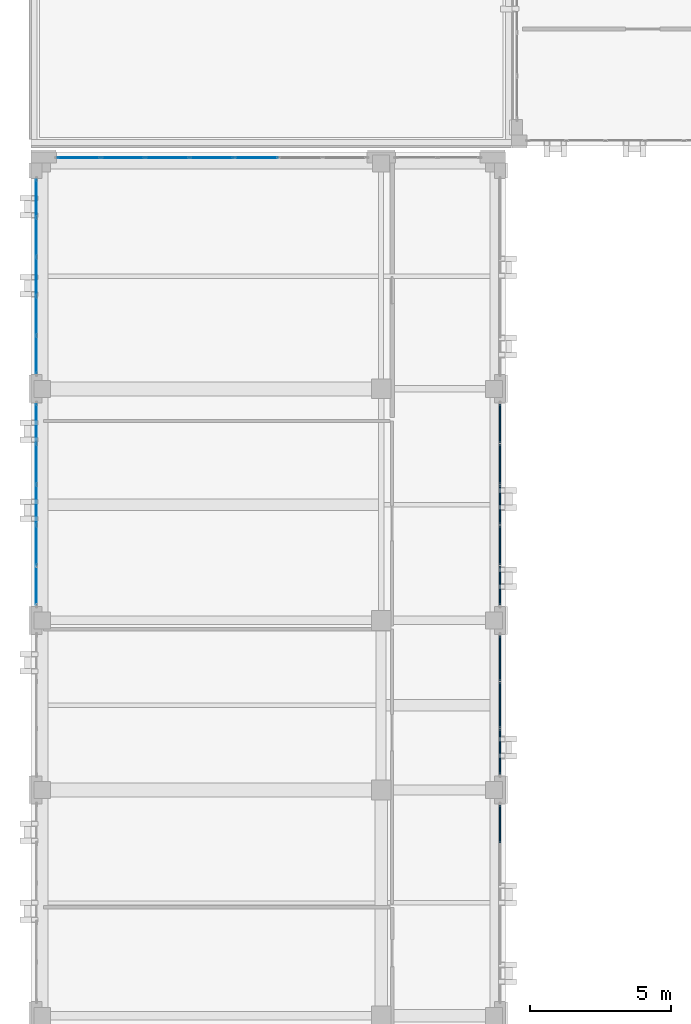
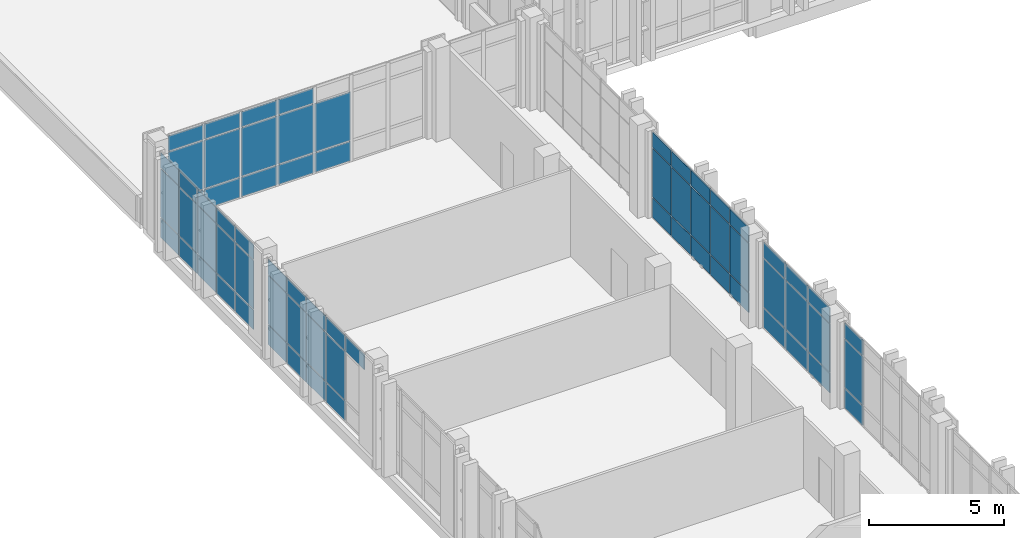
# One storey, part 62 of 90: 69 plates, 6 elements without a shape of their own.
"""IFC4 building model written with IfcOpenShell, lengths in metres."""

from ifc_helpers import new_model, si_unit, direction, frame, origin, origin_2d, place, context, subcontext, project, spatial, rectangle, extrude, material, layer, layer_set, type_object, element, aggregate, save


model = new_model("IFC4")

# Units and contexts
model_context = context("Model", 3, precision=1e-05, world=origin(), true_north=direction((0.0, 1.0)))
body_context = subcontext(model_context, "Body", "Model", "MODEL_VIEW")
ifc_project = project(units=[si_unit("LENGTHUNIT", "METRE"), si_unit("AREAUNIT", "SQUARE_METRE"), si_unit("VOLUMEUNIT", "CUBIC_METRE"), si_unit("PLANEANGLEUNIT", "RADIAN"), si_unit("MASSUNIT", "GRAM", prefix="KILO")], contexts=[model_context])

# Site, building, storey
site_placement = place(None, origin())
site = spatial("IfcSite", under=ifc_project, at=site_placement, CompositionType="ELEMENT")
building_placement = place(site_placement, origin())
building = spatial("IfcBuilding", under=site, at=building_placement, Name="Qalavern Law Courts", CompositionType="ELEMENT")
storey_placement = place(building_placement, frame((0.0, 0.0, 22.800048828125)))
storey = spatial("IfcBuildingStorey", under=building, at=storey_placement, Name="L05", CompositionType="ELEMENT", Elevation=22.800048828125)

# Curtain wall, plates
ifc_material_1 = material(Name="Anodised aluminium and insulated glazing", Category="aluminium")
ifc_layer_1 = layer(ifc_material_1, 0.159912109375)
ifc_layer_set_1 = layer_set([ifc_layer_1], Name="Anodised aluminium and insulated glazing")
curtain_wall_type = type_object("IfcCurtainWallType", Name="ENV-CW-CHAMB", PredefinedType="USERDEFINED", material=ifc_layer_set_1)
curtain_wall_1_placement = place(storey_placement, origin())
curtain_wall_1 = element("IfcCurtainWall", 1, at=curtain_wall_1_placement, inside=storey, type_object=curtain_wall_type, Name="V3 unitised curtain wall L05 west 1", ObjectType="UNITISED CURTAIN WALL", PredefinedType="USERDEFINED")
ifc_material_2 = material(Name="Insulated low-E acoustic glazing", Category="glass")
ifc_layer_2 = layer(ifc_material_2, 0.028076171875)
ifc_layer_set_2 = layer_set([ifc_layer_2], Name="Insulated low-E acoustic glazing")
plate_type_1 = type_object("IfcPlateType", Name="ENV-CWP-28", PredefinedType="CURTAIN_PANEL", material=ifc_layer_set_2)
plate_1_placement = place(storey_placement, frame((2.1923828125, 94.343017578125, 0.048095703125), z_axis=(0.0, 0.0, 1.0), x_axis=(0.0, -1.0, 0.0)))
plate_1 = element("IfcPlate", 2, at=plate_1_placement, type_object=plate_type_1, Name="CW-04 panel 1.1", PredefinedType="CURTAIN_PANEL", context=body_context, shape_type="SweptSolid", body=[
    extrude(rectangle(XDim=1.318115234375, YDim=0.028076171875, at=origin_2d()), origin(), (0.0, 0.0, 1.0), 0.8779296875),
])
plate_2_placement = place(storey_placement, frame((2.1923828125, 94.343017578125, 0.97412109375), z_axis=(0.0, 0.0, 1.0), x_axis=(0.0, -1.0, 0.0)))
plate_2 = element("IfcPlate", 3, at=plate_2_placement, type_object=plate_type_1, Name="CW-04 panel 1.2", PredefinedType="CURTAIN_PANEL", context=body_context, shape_type="SweptSolid", body=[
    extrude(rectangle(XDim=1.318115234375, YDim=0.028076171875, at=origin_2d()), origin(), (0.0, 0.0, 1.0), 2.181884765625),
])
plate_3_placement = place(storey_placement, frame((2.1923828125, 94.343017578125, 3.2041015625), z_axis=(0.0, 0.0, 1.0), x_axis=(0.0, -1.0, 0.0)))
plate_3 = element("IfcPlate", 4, at=plate_3_placement, type_object=plate_type_1, Name="CW-04 panel 1.3", PredefinedType="CURTAIN_PANEL", context=body_context, shape_type="SweptSolid", body=[
    extrude(rectangle(XDim=1.318115234375, YDim=0.028076171875, at=origin_2d()), origin(), (0.0, 0.0, 1.0), 0.677978515625),
])
plate_4_placement = place(storey_placement, frame((2.1923828125, 92.965087890625, 0.048095703125), z_axis=(0.0, 0.0, 1.0), x_axis=(0.0, -1.0, 0.0)))
plate_4 = element("IfcPlate", 5, at=plate_4_placement, type_object=plate_type_1, Name="CW-04 panel 2.1", PredefinedType="CURTAIN_PANEL", context=body_context, shape_type="SweptSolid", body=[
    extrude(rectangle(XDim=1.342041015625, YDim=0.028076171875, at=origin_2d()), origin(), (0.0, 0.0, 1.0), 0.8779296875),
])
plate_5_placement = place(storey_placement, frame((2.1923828125, 92.965087890625, 0.97412109375), z_axis=(0.0, 0.0, 1.0), x_axis=(0.0, -1.0, 0.0)))
plate_5 = element("IfcPlate", 6, at=plate_5_placement, type_object=plate_type_1, Name="CW-04 panel 2.2", PredefinedType="CURTAIN_PANEL", context=body_context, shape_type="SweptSolid", body=[
    extrude(rectangle(XDim=1.342041015625, YDim=0.028076171875, at=origin_2d()), origin(), (0.0, 0.0, 1.0), 2.181884765625),
])
plate_6_placement = place(storey_placement, frame((2.1923828125, 92.965087890625, 3.2041015625), z_axis=(0.0, 0.0, 1.0), x_axis=(0.0, -1.0, 0.0)))
plate_6 = element("IfcPlate", 7, at=plate_6_placement, type_object=plate_type_1, Name="CW-04 panel 2.3", PredefinedType="CURTAIN_PANEL", context=body_context, shape_type="SweptSolid", body=[
    extrude(rectangle(XDim=1.342041015625, YDim=0.028076171875, at=origin_2d()), origin(), (0.0, 0.0, 1.0), 0.677978515625),
])
plate_7_placement = place(storey_placement, frame((2.1923828125, 91.574951171875, 0.048095703125), z_axis=(0.0, 0.0, 1.0), x_axis=(0.0, -1.0, 0.0)))
plate_7 = element("IfcPlate", 8, at=plate_7_placement, type_object=plate_type_1, Name="CW-04 panel 3.1", PredefinedType="CURTAIN_PANEL", context=body_context, shape_type="SweptSolid", body=[
    extrude(rectangle(XDim=1.342041015625, YDim=0.028076171875, at=origin_2d()), origin(), (0.0, 0.0, 1.0), 0.8779296875),
])
plate_8_placement = place(storey_placement, frame((2.1923828125, 91.574951171875, 0.97412109375), z_axis=(0.0, 0.0, 1.0), x_axis=(0.0, -1.0, 0.0)))
plate_8 = element("IfcPlate", 9, at=plate_8_placement, type_object=plate_type_1, Name="CW-04 panel 3.2", PredefinedType="CURTAIN_PANEL", context=body_context, shape_type="SweptSolid", body=[
    extrude(rectangle(XDim=1.342041015625, YDim=0.028076171875, at=origin_2d()), origin(), (0.0, 0.0, 1.0), 2.181884765625),
])
plate_9_placement = place(storey_placement, frame((2.1923828125, 91.574951171875, 3.2041015625), z_axis=(0.0, 0.0, 1.0), x_axis=(0.0, -1.0, 0.0)))
plate_9 = element("IfcPlate", 10, at=plate_9_placement, type_object=plate_type_1, Name="CW-04 panel 3.3", PredefinedType="CURTAIN_PANEL", context=body_context, shape_type="SweptSolid", body=[
    extrude(rectangle(XDim=1.342041015625, YDim=0.028076171875, at=origin_2d()), origin(), (0.0, 0.0, 1.0), 0.677978515625),
])
plate_10_placement = place(storey_placement, frame((2.1923828125, 90.18505859375, 0.048095703125), z_axis=(0.0, 0.0, 1.0), x_axis=(0.0, -1.0, 0.0)))
plate_10 = element("IfcPlate", 11, at=plate_10_placement, type_object=plate_type_1, Name="CW-04 panel 4.1", PredefinedType="CURTAIN_PANEL", context=body_context, shape_type="SweptSolid", body=[
    extrude(rectangle(XDim=1.342041015625, YDim=0.028076171875, at=origin_2d()), origin(), (0.0, 0.0, 1.0), 0.8779296875),
])
plate_11_placement = place(storey_placement, frame((2.1923828125, 90.18505859375, 0.97412109375), z_axis=(0.0, 0.0, 1.0), x_axis=(0.0, -1.0, 0.0)))
plate_11 = element("IfcPlate", 12, at=plate_11_placement, type_object=plate_type_1, Name="CW-04 panel 4.2", PredefinedType="CURTAIN_PANEL", context=body_context, shape_type="SweptSolid", body=[
    extrude(rectangle(XDim=1.342041015625, YDim=0.028076171875, at=origin_2d()), origin(), (0.0, 0.0, 1.0), 2.181884765625),
])
plate_12_placement = place(storey_placement, frame((2.1923828125, 90.18505859375, 3.2041015625), z_axis=(0.0, 0.0, 1.0), x_axis=(0.0, -1.0, 0.0)))
plate_12 = element("IfcPlate", 13, at=plate_12_placement, type_object=plate_type_1, Name="CW-04 panel 4.3", PredefinedType="CURTAIN_PANEL", context=body_context, shape_type="SweptSolid", body=[
    extrude(rectangle(XDim=1.342041015625, YDim=0.028076171875, at=origin_2d()), origin(), (0.0, 0.0, 1.0), 0.677978515625),
])
plate_13_placement = place(storey_placement, frame((2.1923828125, 88.806884765625, 0.048095703125), z_axis=(0.0, 0.0, 1.0), x_axis=(0.0, -1.0, 0.0)))
plate_13 = element("IfcPlate", 14, at=plate_13_placement, type_object=plate_type_1, Name="CW-04 panel 5.1", PredefinedType="CURTAIN_PANEL", context=body_context, shape_type="SweptSolid", body=[
    extrude(rectangle(XDim=1.318115234375, YDim=0.028076171875, at=origin_2d()), origin(), (0.0, 0.0, 1.0), 0.8779296875),
])
plate_14_placement = place(storey_placement, frame((2.1923828125, 88.806884765625, 0.97412109375), z_axis=(0.0, 0.0, 1.0), x_axis=(0.0, -1.0, 0.0)))
plate_14 = element("IfcPlate", 15, at=plate_14_placement, type_object=plate_type_1, Name="CW-04 panel 5.2", PredefinedType="CURTAIN_PANEL", context=body_context, shape_type="SweptSolid", body=[
    extrude(rectangle(XDim=1.318115234375, YDim=0.028076171875, at=origin_2d()), origin(), (0.0, 0.0, 1.0), 2.181884765625),
])
plate_15_placement = place(storey_placement, frame((2.1923828125, 88.806884765625, 3.2041015625), z_axis=(0.0, 0.0, 1.0), x_axis=(0.0, -1.0, 0.0)))
plate_15 = element("IfcPlate", 16, at=plate_15_placement, type_object=plate_type_1, Name="CW-04 panel 5.3", PredefinedType="CURTAIN_PANEL", context=body_context, shape_type="SweptSolid", body=[
    extrude(rectangle(XDim=1.318115234375, YDim=0.028076171875, at=origin_2d()), origin(), (0.0, 0.0, 1.0), 0.677978515625),
])
aggregate(curtain_wall_1, [plate_1, plate_2, plate_3, plate_4, plate_5, plate_6, plate_7, plate_8, plate_9, plate_10, plate_11, plate_12, plate_13, plate_14, plate_15])

curtain_wall_2_placement = place(storey_placement, origin())
curtain_wall_2 = element("IfcCurtainWall", 17, at=curtain_wall_2_placement, inside=storey, type_object=curtain_wall_type, Name="V3 unitised curtain wall L05 north 2", ObjectType="UNITISED CURTAIN WALL", PredefinedType="USERDEFINED")
ifc_layer_3 = layer(ifc_material_2, 0.031982421875)
ifc_layer_set_3 = layer_set([ifc_layer_3], Name="Insulated low-E acoustic glazing")
plate_type_2 = type_object("IfcPlateType", Name="ENV-CWP-32", PredefinedType="CURTAIN_PANEL", material=ifc_layer_set_3)
plate_16_placement = place(storey_placement, frame((9.971435546875, 95.78759765625, 0.048095703125), z_axis=(0.0, 0.0, 1.0), x_axis=(-1.0, 0.0, 0.0)))
plate_16 = element("IfcPlate", 18, at=plate_16_placement, type_object=plate_type_2, Name="CW-04 panel 3.1", PredefinedType="CURTAIN_PANEL", context=body_context, shape_type="SweptSolid", body=[
    extrude(rectangle(XDim=1.5234375, YDim=0.031982421875, at=origin_2d()), origin(), (0.0, 0.0, 1.0), 0.8779296875),
])
plate_17_placement = place(storey_placement, frame((9.971435546875, 95.78759765625, 0.97412109375), z_axis=(0.0, 0.0, 1.0), x_axis=(-1.0, 0.0, 0.0)))
plate_17 = element("IfcPlate", 19, at=plate_17_placement, type_object=plate_type_2, Name="CW-04 panel 3.2", PredefinedType="CURTAIN_PANEL", context=body_context, shape_type="SweptSolid", body=[
    extrude(rectangle(XDim=1.5234375, YDim=0.031982421875, at=origin_2d()), origin(), (0.0, 0.0, 1.0), 2.181884765625),
])
plate_18_placement = place(storey_placement, frame((8.39990234375, 95.78759765625, 0.048095703125), z_axis=(0.0, 0.0, 1.0), x_axis=(-1.0, 0.0, 0.0)))
plate_18 = element("IfcPlate", 20, at=plate_18_placement, type_object=plate_type_2, Name="CW-04 panel 4.1", PredefinedType="CURTAIN_PANEL", context=body_context, shape_type="SweptSolid", body=[
    extrude(rectangle(XDim=1.5234375, YDim=0.031982421875, at=origin_2d()), origin(), (0.0, 0.0, 1.0), 0.8779296875),
])
plate_19_placement = place(storey_placement, frame((8.39990234375, 95.78759765625, 0.97412109375), z_axis=(0.0, 0.0, 1.0), x_axis=(-1.0, 0.0, 0.0)))
plate_19 = element("IfcPlate", 21, at=plate_19_placement, type_object=plate_type_2, Name="CW-04 panel 4.2", PredefinedType="CURTAIN_PANEL", context=body_context, shape_type="SweptSolid", body=[
    extrude(rectangle(XDim=1.5234375, YDim=0.031982421875, at=origin_2d()), origin(), (0.0, 0.0, 1.0), 2.181884765625),
])
plate_20_placement = place(storey_placement, frame((8.39990234375, 95.78759765625, 3.2041015625), z_axis=(0.0, 0.0, 1.0), x_axis=(-1.0, 0.0, 0.0)))
plate_20 = element("IfcPlate", 22, at=plate_20_placement, type_object=plate_type_2, Name="CW-04 panel 4.3", PredefinedType="CURTAIN_PANEL", context=body_context, shape_type="SweptSolid", body=[
    extrude(rectangle(XDim=1.5234375, YDim=0.031982421875, at=origin_2d()), origin(), (0.0, 0.0, 1.0), 0.677978515625),
])
plate_21_placement = place(storey_placement, frame((6.82861328125, 95.78759765625, 0.048095703125), z_axis=(0.0, 0.0, 1.0), x_axis=(-1.0, 0.0, 0.0)))
plate_21 = element("IfcPlate", 23, at=plate_21_placement, type_object=plate_type_2, Name="CW-04 panel 5.1", PredefinedType="CURTAIN_PANEL", context=body_context, shape_type="SweptSolid", body=[
    extrude(rectangle(XDim=1.5234375, YDim=0.031982421875, at=origin_2d()), origin(), (0.0, 0.0, 1.0), 0.8779296875),
])
plate_22_placement = place(storey_placement, frame((6.82861328125, 95.78759765625, 0.97412109375), z_axis=(0.0, 0.0, 1.0), x_axis=(-1.0, 0.0, 0.0)))
plate_22 = element("IfcPlate", 24, at=plate_22_placement, type_object=plate_type_2, Name="CW-04 panel 5.2", PredefinedType="CURTAIN_PANEL", context=body_context, shape_type="SweptSolid", body=[
    extrude(rectangle(XDim=1.5234375, YDim=0.031982421875, at=origin_2d()), origin(), (0.0, 0.0, 1.0), 2.181884765625),
])
plate_23_placement = place(storey_placement, frame((6.82861328125, 95.78759765625, 3.2041015625), z_axis=(0.0, 0.0, 1.0), x_axis=(-1.0, 0.0, 0.0)))
plate_23 = element("IfcPlate", 25, at=plate_23_placement, type_object=plate_type_2, Name="CW-04 panel 5.3", PredefinedType="CURTAIN_PANEL", context=body_context, shape_type="SweptSolid", body=[
    extrude(rectangle(XDim=1.5234375, YDim=0.031982421875, at=origin_2d()), origin(), (0.0, 0.0, 1.0), 0.677978515625),
])
plate_24_placement = place(storey_placement, frame((5.257080078125, 95.78759765625, 0.048095703125), z_axis=(0.0, 0.0, 1.0), x_axis=(-1.0, 0.0, 0.0)))
plate_24 = element("IfcPlate", 26, at=plate_24_placement, type_object=plate_type_2, Name="CW-04 panel 6.1", PredefinedType="CURTAIN_PANEL", context=body_context, shape_type="SweptSolid", body=[
    extrude(rectangle(XDim=1.5234375, YDim=0.031982421875, at=origin_2d()), origin(), (0.0, 0.0, 1.0), 0.8779296875),
])
plate_25_placement = place(storey_placement, frame((5.257080078125, 95.78759765625, 0.97412109375), z_axis=(0.0, 0.0, 1.0), x_axis=(-1.0, 0.0, 0.0)))
plate_25 = element("IfcPlate", 27, at=plate_25_placement, type_object=plate_type_2, Name="CW-04 panel 6.2", PredefinedType="CURTAIN_PANEL", context=body_context, shape_type="SweptSolid", body=[
    extrude(rectangle(XDim=1.5234375, YDim=0.031982421875, at=origin_2d()), origin(), (0.0, 0.0, 1.0), 2.181884765625),
])
plate_26_placement = place(storey_placement, frame((5.257080078125, 95.78759765625, 3.2041015625), z_axis=(0.0, 0.0, 1.0), x_axis=(-1.0, 0.0, 0.0)))
plate_26 = element("IfcPlate", 28, at=plate_26_placement, type_object=plate_type_2, Name="CW-04 panel 6.3", PredefinedType="CURTAIN_PANEL", context=body_context, shape_type="SweptSolid", body=[
    extrude(rectangle(XDim=1.5234375, YDim=0.031982421875, at=origin_2d()), origin(), (0.0, 0.0, 1.0), 0.677978515625),
])
plate_27_placement = place(storey_placement, frame((3.69775390625, 95.78759765625, 0.048095703125), z_axis=(0.0, 0.0, 1.0), x_axis=(-1.0, 0.0, 0.0)))
plate_27 = element("IfcPlate", 29, at=plate_27_placement, type_object=plate_type_2, Name="CW-04 panel 7.1", PredefinedType="CURTAIN_PANEL", context=body_context, shape_type="SweptSolid", body=[
    extrude(rectangle(XDim=1.49951171875, YDim=0.031982421875, at=origin_2d()), origin(), (0.0, 0.0, 1.0), 0.8779296875),
])
plate_28_placement = place(storey_placement, frame((3.69775390625, 95.78759765625, 0.97412109375), z_axis=(0.0, 0.0, 1.0), x_axis=(-1.0, 0.0, 0.0)))
plate_28 = element("IfcPlate", 30, at=plate_28_placement, type_object=plate_type_2, Name="CW-04 panel 7.2", PredefinedType="CURTAIN_PANEL", context=body_context, shape_type="SweptSolid", body=[
    extrude(rectangle(XDim=1.49951171875, YDim=0.031982421875, at=origin_2d()), origin(), (0.0, 0.0, 1.0), 2.181884765625),
])
plate_29_placement = place(storey_placement, frame((3.69775390625, 95.78759765625, 3.2041015625), z_axis=(0.0, 0.0, 1.0), x_axis=(-1.0, 0.0, 0.0)))
plate_29 = element("IfcPlate", 31, at=plate_29_placement, type_object=plate_type_2, Name="CW-04 panel 7.3", PredefinedType="CURTAIN_PANEL", context=body_context, shape_type="SweptSolid", body=[
    extrude(rectangle(XDim=1.49951171875, YDim=0.031982421875, at=origin_2d()), origin(), (0.0, 0.0, 1.0), 0.677978515625),
])
aggregate(curtain_wall_2, [plate_16, plate_17, plate_18, plate_19, plate_20, plate_21, plate_22, plate_23, plate_24, plate_25, plate_26, plate_27, plate_28, plate_29])

curtain_wall_3_placement = place(storey_placement, origin())
curtain_wall_3 = element("IfcCurtainWall", 32, at=curtain_wall_3_placement, inside=storey, type_object=curtain_wall_type, Name="V3 unitised curtain wall L05 west 2", ObjectType="UNITISED CURTAIN WALL", PredefinedType="USERDEFINED")
plate_30_placement = place(storey_placement, frame((2.1923828125, 86.367919921875, 0.048095703125), z_axis=(0.0, 0.0, 1.0), x_axis=(0.0, -1.0, 0.0)))
plate_30 = element("IfcPlate", 33, at=plate_30_placement, type_object=plate_type_2, Name="CW-04 panel 1.1", PredefinedType="CURTAIN_PANEL", context=body_context, shape_type="SweptSolid", body=[
    extrude(rectangle(XDim=1.367919921875, YDim=0.031982421875, at=origin_2d()), origin(), (0.0, 0.0, 1.0), 0.8779296875),
])
plate_31_placement = place(storey_placement, frame((2.1923828125, 86.367919921875, 0.97412109375), z_axis=(0.0, 0.0, 1.0), x_axis=(0.0, -1.0, 0.0)))
plate_31 = element("IfcPlate", 34, at=plate_31_placement, type_object=plate_type_2, Name="CW-04 panel 1.2", PredefinedType="CURTAIN_PANEL", context=body_context, shape_type="SweptSolid", body=[
    extrude(rectangle(XDim=1.367919921875, YDim=0.031982421875, at=origin_2d()), origin(), (0.0, 0.0, 1.0), 2.181884765625),
])
plate_32_placement = place(storey_placement, frame((2.1923828125, 86.367919921875, 3.2041015625), z_axis=(0.0, 0.0, 1.0), x_axis=(0.0, -1.0, 0.0)))
plate_32 = element("IfcPlate", 35, at=plate_32_placement, type_object=plate_type_2, Name="CW-04 panel 1.3", PredefinedType="CURTAIN_PANEL", context=body_context, shape_type="SweptSolid", body=[
    extrude(rectangle(XDim=1.367919921875, YDim=0.031982421875, at=origin_2d()), origin(), (0.0, 0.0, 1.0), 0.677978515625),
])
plate_33_placement = place(storey_placement, frame((2.1923828125, 84.93994140625, 0.048095703125), z_axis=(0.0, 0.0, 1.0), x_axis=(0.0, -1.0, 0.0)))
plate_33 = element("IfcPlate", 36, at=plate_33_placement, type_object=plate_type_2, Name="CW-04 panel 2.1", PredefinedType="CURTAIN_PANEL", context=body_context, shape_type="SweptSolid", body=[
    extrude(rectangle(XDim=1.39208984375, YDim=0.031982421875, at=origin_2d()), origin(), (0.0, 0.0, 1.0), 0.8779296875),
])
plate_34_placement = place(storey_placement, frame((2.1923828125, 84.93994140625, 0.97412109375), z_axis=(0.0, 0.0, 1.0), x_axis=(0.0, -1.0, 0.0)))
plate_34 = element("IfcPlate", 37, at=plate_34_placement, type_object=plate_type_2, Name="CW-04 panel 2.2", PredefinedType="CURTAIN_PANEL", context=body_context, shape_type="SweptSolid", body=[
    extrude(rectangle(XDim=1.39208984375, YDim=0.031982421875, at=origin_2d()), origin(), (0.0, 0.0, 1.0), 2.181884765625),
])
plate_35_placement = place(storey_placement, frame((2.1923828125, 84.93994140625, 3.2041015625), z_axis=(0.0, 0.0, 1.0), x_axis=(0.0, -1.0, 0.0)))
plate_35 = element("IfcPlate", 38, at=plate_35_placement, type_object=plate_type_2, Name="CW-04 panel 2.3", PredefinedType="CURTAIN_PANEL", context=body_context, shape_type="SweptSolid", body=[
    extrude(rectangle(XDim=1.39208984375, YDim=0.031982421875, at=origin_2d()), origin(), (0.0, 0.0, 1.0), 0.677978515625),
])
plate_36_placement = place(storey_placement, frame((2.1923828125, 83.5, 0.048095703125), z_axis=(0.0, 0.0, 1.0), x_axis=(0.0, -1.0, 0.0)))
plate_36 = element("IfcPlate", 39, at=plate_36_placement, type_object=plate_type_2, Name="CW-04 panel 3.1", PredefinedType="CURTAIN_PANEL", context=body_context, shape_type="SweptSolid", body=[
    extrude(rectangle(XDim=1.39208984375, YDim=0.031982421875, at=origin_2d()), origin(), (0.0, 0.0, 1.0), 0.8779296875),
])
plate_37_placement = place(storey_placement, frame((2.1923828125, 83.5, 0.97412109375), z_axis=(0.0, 0.0, 1.0), x_axis=(0.0, -1.0, 0.0)))
plate_37 = element("IfcPlate", 40, at=plate_37_placement, type_object=plate_type_2, Name="CW-04 panel 3.2", PredefinedType="CURTAIN_PANEL", context=body_context, shape_type="SweptSolid", body=[
    extrude(rectangle(XDim=1.39208984375, YDim=0.031982421875, at=origin_2d()), origin(), (0.0, 0.0, 1.0), 2.181884765625),
])
plate_38_placement = place(storey_placement, frame((2.1923828125, 83.5, 3.2041015625), z_axis=(0.0, 0.0, 1.0), x_axis=(0.0, -1.0, 0.0)))
plate_38 = element("IfcPlate", 41, at=plate_38_placement, type_object=plate_type_2, Name="CW-04 panel 3.3", PredefinedType="CURTAIN_PANEL", context=body_context, shape_type="SweptSolid", body=[
    extrude(rectangle(XDim=1.39208984375, YDim=0.031982421875, at=origin_2d()), origin(), (0.0, 0.0, 1.0), 0.677978515625),
])
plate_39_placement = place(storey_placement, frame((2.1923828125, 82.06005859375, 0.048095703125), z_axis=(0.0, 0.0, 1.0), x_axis=(0.0, -1.0, 0.0)))
plate_39 = element("IfcPlate", 42, at=plate_39_placement, type_object=plate_type_2, Name="CW-04 panel 4.1", PredefinedType="CURTAIN_PANEL", context=body_context, shape_type="SweptSolid", body=[
    extrude(rectangle(XDim=1.39208984375, YDim=0.031982421875, at=origin_2d()), origin(), (0.0, 0.0, 1.0), 0.8779296875),
])
plate_40_placement = place(storey_placement, frame((2.1923828125, 82.06005859375, 0.97412109375), z_axis=(0.0, 0.0, 1.0), x_axis=(0.0, -1.0, 0.0)))
plate_40 = element("IfcPlate", 43, at=plate_40_placement, type_object=plate_type_2, Name="CW-04 panel 4.2", PredefinedType="CURTAIN_PANEL", context=body_context, shape_type="SweptSolid", body=[
    extrude(rectangle(XDim=1.39208984375, YDim=0.031982421875, at=origin_2d()), origin(), (0.0, 0.0, 1.0), 2.181884765625),
])
plate_41_placement = place(storey_placement, frame((2.1923828125, 82.06005859375, 3.2041015625), z_axis=(0.0, 0.0, 1.0), x_axis=(0.0, -1.0, 0.0)))
plate_41 = element("IfcPlate", 44, at=plate_41_placement, type_object=plate_type_2, Name="CW-04 panel 4.3", PredefinedType="CURTAIN_PANEL", context=body_context, shape_type="SweptSolid", body=[
    extrude(rectangle(XDim=1.39208984375, YDim=0.031982421875, at=origin_2d()), origin(), (0.0, 0.0, 1.0), 0.677978515625),
])
plate_42_placement = place(storey_placement, frame((2.1923828125, 80.632080078125, 3.2041015625), z_axis=(0.0, 0.0, 1.0), x_axis=(0.0, -1.0, 0.0)))
plate_42 = element("IfcPlate", 45, at=plate_42_placement, type_object=plate_type_2, Name="CW-04 panel 5.3", PredefinedType="CURTAIN_PANEL", context=body_context, shape_type="SweptSolid", body=[
    extrude(rectangle(XDim=1.367919921875, YDim=0.031982421875, at=origin_2d()), origin(), (0.0, 0.0, 1.0), 0.677978515625),
])
aggregate(curtain_wall_3, [plate_30, plate_31, plate_32, plate_33, plate_34, plate_35, plate_36, plate_37, plate_38, plate_39, plate_40, plate_41, plate_42])

curtain_wall_4_placement = place(storey_placement, origin())
curtain_wall_4 = element("IfcCurtainWall", 46, at=curtain_wall_4_placement, inside=storey, type_object=curtain_wall_type, Name="V3 unitised curtain wall L05 east 4", ObjectType="UNITISED CURTAIN WALL", PredefinedType="USERDEFINED")
ifc_layer_4 = layer(ifc_material_2, 0.0400390625)
ifc_layer_set_4 = layer_set([ifc_layer_4], Name="Insulated low-E acoustic glazing")
plate_type_3 = type_object("IfcPlateType", Name="ENV-CWP-40", PredefinedType="CURTAIN_PANEL", material=ifc_layer_set_4)
plate_43_placement = place(storey_placement, frame((18.607421875, 72.18798828125, 0.048095703125), z_axis=(0.0, 0.0, 1.0), x_axis=(0.0, 1.0, 0.0)))
plate_43 = element("IfcPlate", 47, at=plate_43_placement, type_object=plate_type_3, Name="CW-04 panel 5.1", PredefinedType="CURTAIN_PANEL", context=body_context, shape_type="SweptSolid", body=[
    extrude(rectangle(XDim=1.327880859375, YDim=0.0400390625, at=origin_2d()), origin(), (0.0, 0.0, 1.0), 0.8779296875),
])
plate_44_placement = place(storey_placement, frame((18.607421875, 72.18798828125, 0.97412109375), z_axis=(0.0, 0.0, 1.0), x_axis=(0.0, 1.0, 0.0)))
plate_44 = element("IfcPlate", 48, at=plate_44_placement, type_object=plate_type_3, Name="CW-04 panel 5.2", PredefinedType="CURTAIN_PANEL", context=body_context, shape_type="SweptSolid", body=[
    extrude(rectangle(XDim=1.327880859375, YDim=0.0400390625, at=origin_2d()), origin(), (0.0, 0.0, 1.0), 2.181884765625),
])
plate_45_placement = place(storey_placement, frame((18.607421875, 72.18798828125, 3.2041015625), z_axis=(0.0, 0.0, 1.0), x_axis=(0.0, 1.0, 0.0)))
plate_45 = element("IfcPlate", 49, at=plate_45_placement, type_object=plate_type_3, Name="CW-04 panel 5.3", PredefinedType="CURTAIN_PANEL", context=body_context, shape_type="SweptSolid", body=[
    extrude(rectangle(XDim=1.327880859375, YDim=0.0400390625, at=origin_2d()), origin(), (0.0, 0.0, 1.0), 0.677978515625),
])
aggregate(curtain_wall_4, [plate_43, plate_44, plate_45])

curtain_wall_5_placement = place(storey_placement, origin())
curtain_wall_5 = element("IfcCurtainWall", 50, at=curtain_wall_5_placement, inside=storey, type_object=curtain_wall_type, Name="V3 unitised curtain wall L05 east 5", ObjectType="UNITISED CURTAIN WALL", PredefinedType="USERDEFINED")
ifc_layer_5 = layer(ifc_material_2, 0.0439453125)
ifc_layer_set_5 = layer_set([ifc_layer_5], Name="Insulated low-E acoustic glazing")
plate_type_4 = type_object("IfcPlateType", Name="ENV-CWP-44", PredefinedType="CURTAIN_PANEL", material=ifc_layer_set_5)
plate_46_placement = place(storey_placement, frame((18.607421875, 74.745361328125, 0.048095703125), z_axis=(0.0, 0.0, 1.0), x_axis=(0.0, 1.0, 0.0)))
plate_46 = element("IfcPlate", 51, at=plate_46_placement, type_object=plate_type_4, Name="CW-04 panel 1.1", PredefinedType="CURTAIN_PANEL", context=body_context, shape_type="SweptSolid", body=[
    extrude(rectangle(XDim=1.5947265625, YDim=0.0439453125, at=origin_2d()), origin(), (0.0, 0.0, 1.0), 0.8779296875),
])
plate_47_placement = place(storey_placement, frame((18.607421875, 74.745361328125, 0.97412109375), z_axis=(0.0, 0.0, 1.0), x_axis=(0.0, 1.0, 0.0)))
plate_47 = element("IfcPlate", 52, at=plate_47_placement, type_object=plate_type_4, Name="CW-04 panel 1.2", PredefinedType="CURTAIN_PANEL", context=body_context, shape_type="SweptSolid", body=[
    extrude(rectangle(XDim=1.5947265625, YDim=0.0439453125, at=origin_2d()), origin(), (0.0, 0.0, 1.0), 2.181884765625),
])
plate_48_placement = place(storey_placement, frame((18.607421875, 74.745361328125, 3.2041015625), z_axis=(0.0, 0.0, 1.0), x_axis=(0.0, 1.0, 0.0)))
plate_48 = element("IfcPlate", 53, at=plate_48_placement, type_object=plate_type_4, Name="CW-04 panel 1.3", PredefinedType="CURTAIN_PANEL", context=body_context, shape_type="SweptSolid", body=[
    extrude(rectangle(XDim=1.5947265625, YDim=0.0439453125, at=origin_2d()), origin(), (0.0, 0.0, 1.0), 0.677978515625),
])
plate_49_placement = place(storey_placement, frame((18.607421875, 76.39990234375, 0.048095703125), z_axis=(0.0, 0.0, 1.0), x_axis=(0.0, 1.0, 0.0)))
plate_49 = element("IfcPlate", 54, at=plate_49_placement, type_object=plate_type_4, Name="CW-04 panel 2.1", PredefinedType="CURTAIN_PANEL", context=body_context, shape_type="SweptSolid", body=[
    extrude(rectangle(XDim=1.61865234375, YDim=0.0439453125, at=origin_2d()), origin(), (0.0, 0.0, 1.0), 0.8779296875),
])
plate_50_placement = place(storey_placement, frame((18.607421875, 76.39990234375, 0.97412109375), z_axis=(0.0, 0.0, 1.0), x_axis=(0.0, 1.0, 0.0)))
plate_50 = element("IfcPlate", 55, at=plate_50_placement, type_object=plate_type_4, Name="CW-04 panel 2.2", PredefinedType="CURTAIN_PANEL", context=body_context, shape_type="SweptSolid", body=[
    extrude(rectangle(XDim=1.61865234375, YDim=0.0439453125, at=origin_2d()), origin(), (0.0, 0.0, 1.0), 2.181884765625),
])
plate_51_placement = place(storey_placement, frame((18.607421875, 76.39990234375, 3.2041015625), z_axis=(0.0, 0.0, 1.0), x_axis=(0.0, 1.0, 0.0)))
plate_51 = element("IfcPlate", 56, at=plate_51_placement, type_object=plate_type_4, Name="CW-04 panel 2.3", PredefinedType="CURTAIN_PANEL", context=body_context, shape_type="SweptSolid", body=[
    extrude(rectangle(XDim=1.61865234375, YDim=0.0439453125, at=origin_2d()), origin(), (0.0, 0.0, 1.0), 0.677978515625),
])
plate_52_placement = place(storey_placement, frame((18.607421875, 78.0546875, 0.048095703125), z_axis=(0.0, 0.0, 1.0), x_axis=(0.0, 1.0, 0.0)))
plate_52 = element("IfcPlate", 57, at=plate_52_placement, type_object=plate_type_4, Name="CW-04 panel 3.1", PredefinedType="CURTAIN_PANEL", context=body_context, shape_type="SweptSolid", body=[
    extrude(rectangle(XDim=1.5947265625, YDim=0.0439453125, at=origin_2d()), origin(), (0.0, 0.0, 1.0), 0.8779296875),
])
plate_53_placement = place(storey_placement, frame((18.607421875, 78.0546875, 0.97412109375), z_axis=(0.0, 0.0, 1.0), x_axis=(0.0, 1.0, 0.0)))
plate_53 = element("IfcPlate", 58, at=plate_53_placement, type_object=plate_type_4, Name="CW-04 panel 3.2", PredefinedType="CURTAIN_PANEL", context=body_context, shape_type="SweptSolid", body=[
    extrude(rectangle(XDim=1.5947265625, YDim=0.0439453125, at=origin_2d()), origin(), (0.0, 0.0, 1.0), 2.181884765625),
])
plate_54_placement = place(storey_placement, frame((18.607421875, 78.0546875, 3.2041015625), z_axis=(0.0, 0.0, 1.0), x_axis=(0.0, 1.0, 0.0)))
plate_54 = element("IfcPlate", 59, at=plate_54_placement, type_object=plate_type_4, Name="CW-04 panel 3.3", PredefinedType="CURTAIN_PANEL", context=body_context, shape_type="SweptSolid", body=[
    extrude(rectangle(XDim=1.5947265625, YDim=0.0439453125, at=origin_2d()), origin(), (0.0, 0.0, 1.0), 0.677978515625),
])
aggregate(curtain_wall_5, [plate_46, plate_47, plate_48, plate_49, plate_50, plate_51, plate_52, plate_53, plate_54])

curtain_wall_6_placement = place(storey_placement, origin())
curtain_wall_6 = element("IfcCurtainWall", 60, at=curtain_wall_6_placement, inside=storey, type_object=curtain_wall_type, Name="V3 unitised curtain wall L05 east 6", ObjectType="UNITISED CURTAIN WALL", PredefinedType="USERDEFINED")
ifc_layer_6 = layer(ifc_material_2, 0.048095703125)
ifc_layer_set_6 = layer_set([ifc_layer_6], Name="Insulated low-E acoustic glazing")
plate_type_5 = type_object("IfcPlateType", Name="ENV-CWP-48", PredefinedType="CURTAIN_PANEL", material=ifc_layer_set_6)
plate_55_placement = place(storey_placement, frame((18.607421875, 80.632080078125, 0.048095703125), z_axis=(0.0, 0.0, 1.0), x_axis=(0.0, 1.0, 0.0)))
plate_55 = element("IfcPlate", 61, at=plate_55_placement, type_object=plate_type_5, Name="CW-04 panel 1.1", PredefinedType="CURTAIN_PANEL", context=body_context, shape_type="SweptSolid", body=[
    extrude(rectangle(XDim=1.367919921875, YDim=0.048095703125, at=origin_2d()), origin(), (0.0, 0.0, 1.0), 0.8779296875),
])
plate_56_placement = place(storey_placement, frame((18.607421875, 80.632080078125, 0.97412109375), z_axis=(0.0, 0.0, 1.0), x_axis=(0.0, 1.0, 0.0)))
plate_56 = element("IfcPlate", 62, at=plate_56_placement, type_object=plate_type_5, Name="CW-04 panel 1.2", PredefinedType="CURTAIN_PANEL", context=body_context, shape_type="SweptSolid", body=[
    extrude(rectangle(XDim=1.367919921875, YDim=0.048095703125, at=origin_2d()), origin(), (0.0, 0.0, 1.0), 2.181884765625),
])
plate_57_placement = place(storey_placement, frame((18.607421875, 80.632080078125, 3.2041015625), z_axis=(0.0, 0.0, 1.0), x_axis=(0.0, 1.0, 0.0)))
plate_57 = element("IfcPlate", 63, at=plate_57_placement, type_object=plate_type_5, Name="CW-04 panel 1.3", PredefinedType="CURTAIN_PANEL", context=body_context, shape_type="SweptSolid", body=[
    extrude(rectangle(XDim=1.367919921875, YDim=0.048095703125, at=origin_2d()), origin(), (0.0, 0.0, 1.0), 0.677978515625),
])
plate_58_placement = place(storey_placement, frame((18.607421875, 82.06005859375, 0.048095703125), z_axis=(0.0, 0.0, 1.0), x_axis=(0.0, 1.0, 0.0)))
plate_58 = element("IfcPlate", 64, at=plate_58_placement, type_object=plate_type_5, Name="CW-04 panel 2.1", PredefinedType="CURTAIN_PANEL", context=body_context, shape_type="SweptSolid", body=[
    extrude(rectangle(XDim=1.39208984375, YDim=0.048095703125, at=origin_2d()), origin(), (0.0, 0.0, 1.0), 0.8779296875),
])
plate_59_placement = place(storey_placement, frame((18.607421875, 82.06005859375, 0.97412109375), z_axis=(0.0, 0.0, 1.0), x_axis=(0.0, 1.0, 0.0)))
plate_59 = element("IfcPlate", 65, at=plate_59_placement, type_object=plate_type_5, Name="CW-04 panel 2.2", PredefinedType="CURTAIN_PANEL", context=body_context, shape_type="SweptSolid", body=[
    extrude(rectangle(XDim=1.39208984375, YDim=0.048095703125, at=origin_2d()), origin(), (0.0, 0.0, 1.0), 2.181884765625),
])
plate_60_placement = place(storey_placement, frame((18.607421875, 82.06005859375, 3.2041015625), z_axis=(0.0, 0.0, 1.0), x_axis=(0.0, 1.0, 0.0)))
plate_60 = element("IfcPlate", 66, at=plate_60_placement, type_object=plate_type_5, Name="CW-04 panel 2.3", PredefinedType="CURTAIN_PANEL", context=body_context, shape_type="SweptSolid", body=[
    extrude(rectangle(XDim=1.39208984375, YDim=0.048095703125, at=origin_2d()), origin(), (0.0, 0.0, 1.0), 0.677978515625),
])
plate_61_placement = place(storey_placement, frame((18.607421875, 83.5, 0.048095703125), z_axis=(0.0, 0.0, 1.0), x_axis=(0.0, 1.0, 0.0)))
plate_61 = element("IfcPlate", 67, at=plate_61_placement, type_object=plate_type_5, Name="CW-04 panel 3.1", PredefinedType="CURTAIN_PANEL", context=body_context, shape_type="SweptSolid", body=[
    extrude(rectangle(XDim=1.39208984375, YDim=0.048095703125, at=origin_2d()), origin(), (0.0, 0.0, 1.0), 0.8779296875),
])
plate_62_placement = place(storey_placement, frame((18.607421875, 83.5, 0.97412109375), z_axis=(0.0, 0.0, 1.0), x_axis=(0.0, 1.0, 0.0)))
plate_62 = element("IfcPlate", 68, at=plate_62_placement, type_object=plate_type_5, Name="CW-04 panel 3.2", PredefinedType="CURTAIN_PANEL", context=body_context, shape_type="SweptSolid", body=[
    extrude(rectangle(XDim=1.39208984375, YDim=0.048095703125, at=origin_2d()), origin(), (0.0, 0.0, 1.0), 2.181884765625),
])
plate_63_placement = place(storey_placement, frame((18.607421875, 83.5, 3.2041015625), z_axis=(0.0, 0.0, 1.0), x_axis=(0.0, 1.0, 0.0)))
plate_63 = element("IfcPlate", 69, at=plate_63_placement, type_object=plate_type_5, Name="CW-04 panel 3.3", PredefinedType="CURTAIN_PANEL", context=body_context, shape_type="SweptSolid", body=[
    extrude(rectangle(XDim=1.39208984375, YDim=0.048095703125, at=origin_2d()), origin(), (0.0, 0.0, 1.0), 0.677978515625),
])
plate_64_placement = place(storey_placement, frame((18.607421875, 84.93994140625, 0.048095703125), z_axis=(0.0, 0.0, 1.0), x_axis=(0.0, 1.0, 0.0)))
plate_64 = element("IfcPlate", 70, at=plate_64_placement, type_object=plate_type_5, Name="CW-04 panel 4.1", PredefinedType="CURTAIN_PANEL", context=body_context, shape_type="SweptSolid", body=[
    extrude(rectangle(XDim=1.39208984375, YDim=0.048095703125, at=origin_2d()), origin(), (0.0, 0.0, 1.0), 0.8779296875),
])
plate_65_placement = place(storey_placement, frame((18.607421875, 84.93994140625, 0.97412109375), z_axis=(0.0, 0.0, 1.0), x_axis=(0.0, 1.0, 0.0)))
plate_65 = element("IfcPlate", 71, at=plate_65_placement, type_object=plate_type_5, Name="CW-04 panel 4.2", PredefinedType="CURTAIN_PANEL", context=body_context, shape_type="SweptSolid", body=[
    extrude(rectangle(XDim=1.39208984375, YDim=0.048095703125, at=origin_2d()), origin(), (0.0, 0.0, 1.0), 2.181884765625),
])
plate_66_placement = place(storey_placement, frame((18.607421875, 84.93994140625, 3.2041015625), z_axis=(0.0, 0.0, 1.0), x_axis=(0.0, 1.0, 0.0)))
plate_66 = element("IfcPlate", 72, at=plate_66_placement, type_object=plate_type_5, Name="CW-04 panel 4.3", PredefinedType="CURTAIN_PANEL", context=body_context, shape_type="SweptSolid", body=[
    extrude(rectangle(XDim=1.39208984375, YDim=0.048095703125, at=origin_2d()), origin(), (0.0, 0.0, 1.0), 0.677978515625),
])
plate_67_placement = place(storey_placement, frame((18.607421875, 86.367919921875, 0.048095703125), z_axis=(0.0, 0.0, 1.0), x_axis=(0.0, 1.0, 0.0)))
plate_67 = element("IfcPlate", 73, at=plate_67_placement, type_object=plate_type_5, Name="CW-04 panel 5.1", PredefinedType="CURTAIN_PANEL", context=body_context, shape_type="SweptSolid", body=[
    extrude(rectangle(XDim=1.367919921875, YDim=0.048095703125, at=origin_2d()), origin(), (0.0, 0.0, 1.0), 0.8779296875),
])
plate_68_placement = place(storey_placement, frame((18.607421875, 86.367919921875, 0.97412109375), z_axis=(0.0, 0.0, 1.0), x_axis=(0.0, 1.0, 0.0)))
plate_68 = element("IfcPlate", 74, at=plate_68_placement, type_object=plate_type_5, Name="CW-04 panel 5.2", PredefinedType="CURTAIN_PANEL", context=body_context, shape_type="SweptSolid", body=[
    extrude(rectangle(XDim=1.367919921875, YDim=0.048095703125, at=origin_2d()), origin(), (0.0, 0.0, 1.0), 2.181884765625),
])
plate_69_placement = place(storey_placement, frame((18.607421875, 86.367919921875, 3.2041015625), z_axis=(0.0, 0.0, 1.0), x_axis=(0.0, 1.0, 0.0)))
plate_69 = element("IfcPlate", 75, at=plate_69_placement, type_object=plate_type_5, Name="CW-04 panel 5.3", PredefinedType="CURTAIN_PANEL", context=body_context, shape_type="SweptSolid", body=[
    extrude(rectangle(XDim=1.367919921875, YDim=0.048095703125, at=origin_2d()), origin(), (0.0, 0.0, 1.0), 0.677978515625),
])
aggregate(curtain_wall_6, [plate_55, plate_56, plate_57, plate_58, plate_59, plate_60, plate_61, plate_62, plate_63, plate_64, plate_65, plate_66, plate_67, plate_68, plate_69])

save(model, "model.ifc")
